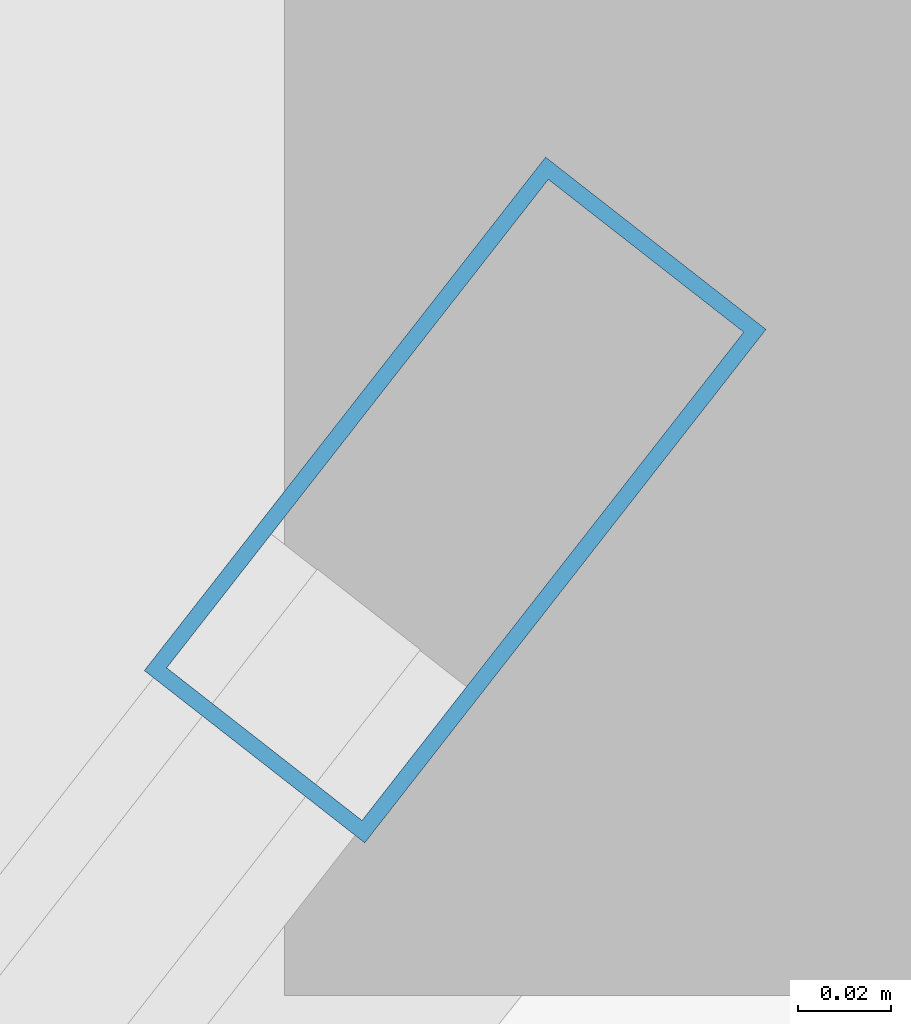
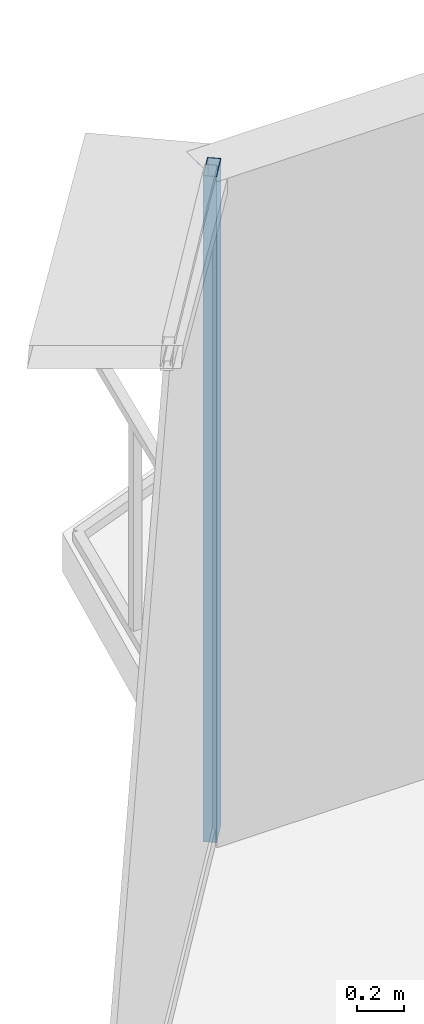
# One storey, part 19 of 37: 1 member, 1 element without a shape of its own.
"""IFC4 building model written with IfcOpenShell, lengths in metres."""

from ifc_helpers import new_model, si_unit, direction, frame, origin, origin_2d, place, context, subcontext, project, spatial, hollow_rectangle, extrude, source, transform, mapped, material, layer, layer_set, material_profile, profile_set, type_object, element, aggregate, save


model = new_model("IFC4")

# Units and contexts
model_context = context("Model", 3, precision=1e-05, world=origin(), true_north=direction((0.0, 1.0)))
body_context = subcontext(model_context, "Body", "Model", "MODEL_VIEW")
ifc_project = project(units=[si_unit("LENGTHUNIT", "METRE"), si_unit("AREAUNIT", "SQUARE_METRE"), si_unit("VOLUMEUNIT", "CUBIC_METRE"), si_unit("PLANEANGLEUNIT", "RADIAN"), si_unit("MASSUNIT", "GRAM", prefix="KILO"), si_unit("THERMODYNAMICTEMPERATUREUNIT", "KELVIN"), si_unit("POWERUNIT", "WATT")], contexts=[model_context])

# Site, building, storey
site_placement = place(None, origin())
site = spatial("IfcSite", under=ifc_project, at=site_placement, CompositionType="ELEMENT")
building_placement = place(site_placement, origin())
building = spatial("IfcBuilding", under=site, at=building_placement, Name="Yunzhuo Pagoda Commons", CompositionType="ELEMENT")
storey_placement = place(building_placement, frame((0.0, 0.0, 240.800048828125)))
storey = spatial("IfcBuildingStorey", under=building, at=storey_placement, Name="L60", CompositionType="ELEMENT", Elevation=240.800048828125)

# Curtain wall, member
ifc_material = material(Name="Anodized aluminium 6063-T6", Category="aluminium")
ifc_layer = layer(ifc_material, 0.139892578125)
ifc_layer_set = layer_set([ifc_layer], Name="Anodized aluminium 6063-T6")
curtain_wall_type = type_object("IfcCurtainWallType", Name="CW-HI High-Zone Ribbon Curtain Wall", PredefinedType="NOTDEFINED", material=ifc_layer_set)
curtain_wall_placement = place(storey_placement, origin())
curtain_wall = element("IfcCurtainWall", 1, at=curtain_wall_placement, inside=storey, type_object=curtain_wall_type, Name="L60 curtain wall CW-L60-F3B1", PredefinedType="NOTDEFINED")
ifc_material_profile = material_profile(ifc_material, hollow_rectangle(XDim=0.06005859375, YDim=0.139892578125, WallThickness=0.00341796875, at=origin_2d()), Name="Anodized aluminium 6063-T6")
ifc_profile_set = profile_set([ifc_material_profile], Name="Anodized aluminium 6063-T6")
member_type = type_object("IfcMemberType", Name="CW-HI-M Mullion RHS 140x60x3.5", PredefinedType="MULLION", material=ifc_profile_set)
shared_shape = source(origin(), body_context, "Body", "SweptSolid", [
    extrude(hollow_rectangle(XDim=0.06005859375, YDim=0.139892578125, WallThickness=0.00341796875, at=origin_2d()), origin(), (0.0, 0.0, 1.0), 3.47021484375),
])
member_placement = place(storey_placement, frame((44.113037109375, 79.776123046875, 0.0), z_axis=(0.0, 0.0, 1.0), x_axis=(0.787911077131, -0.615789034114, 0.0)))
member = element("IfcMember", 2, at=member_placement, type_object=member_type, Name="CW mullion 1", PredefinedType="MULLION", context=body_context, shape_type="MappedRepresentation", body=[
    mapped(shared_shape, transform((0.0, 0.0, 0.0), scale=1.0)),
])
aggregate(curtain_wall, [member])

save(model, "model.ifc")
